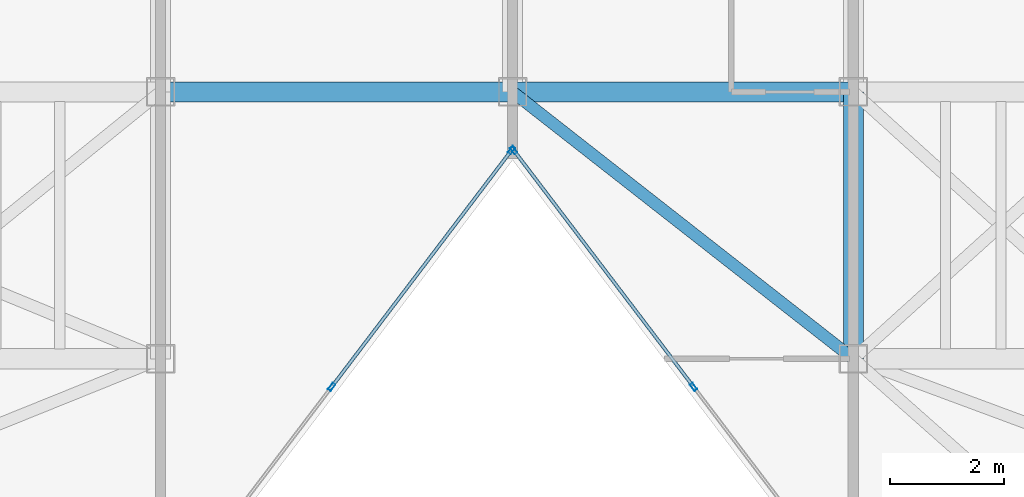
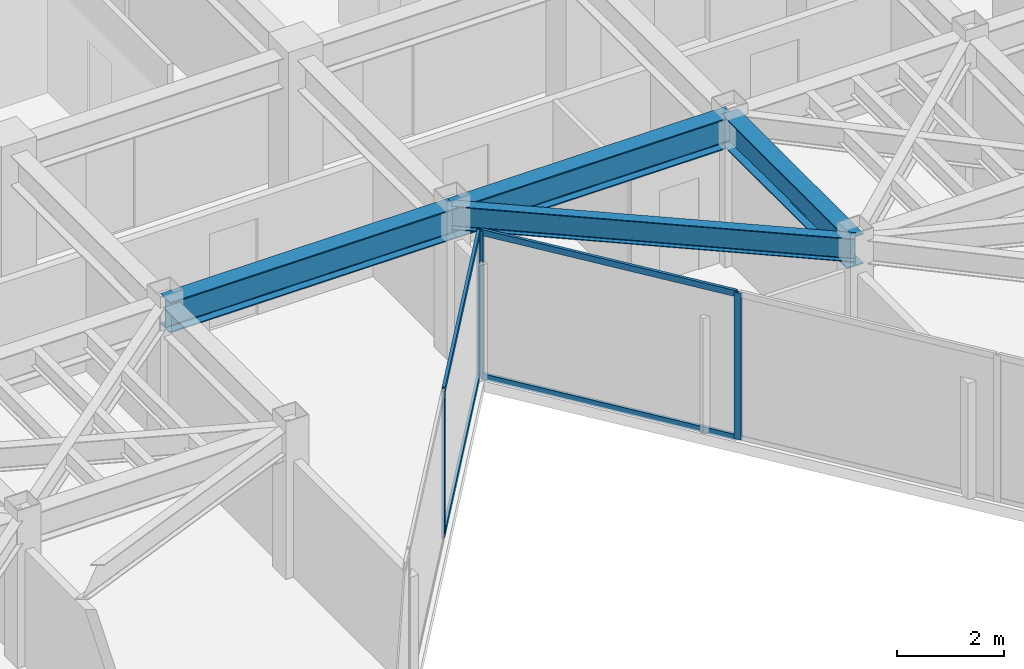
# One storey, part 10 of 19: 8 members, 4 beams, 2 elements without a shape of their own.
"""IFC4 building model written with IfcOpenShell, lengths in metres."""

from ifc_helpers import new_model, si_unit, direction, frame, origin, origin_2d, place, context, subcontext, project, spatial, hollow_rectangle, i_section, extrude, material, layer, layer_set, material_profile, profile_set, type_object, element, aggregate, save


model = new_model("IFC4")

# Units and contexts
model_context = context("Model", 3, precision=1e-05, world=origin(), true_north=direction((0.0, 1.0)))
body_context = subcontext(model_context, "Body", "Model", "MODEL_VIEW")
ifc_project = project(units=[si_unit("LENGTHUNIT", "METRE"), si_unit("AREAUNIT", "SQUARE_METRE"), si_unit("VOLUMEUNIT", "CUBIC_METRE"), si_unit("PLANEANGLEUNIT", "RADIAN"), si_unit("MASSUNIT", "GRAM", prefix="KILO")], contexts=[model_context])

# Site, building, storey
site_placement = place(None, origin())
site = spatial("IfcSite", under=ifc_project, at=site_placement, CompositionType="ELEMENT")
building_placement = place(site_placement, origin())
building = spatial("IfcBuilding", under=site, at=building_placement, Name="Kravanh Interchange Tower", CompositionType="ELEMENT")
storey_placement = place(building_placement, frame((0.0, 0.0, 259.800048828125)))
storey = spatial("IfcBuildingStorey", under=building, at=storey_placement, Name="L63", CompositionType="ELEMENT", Elevation=259.800048828125)

# Curtain wall, members
ifc_material_1 = material(Name="Anodised Bronze Aluminium", Category="aluminium")
ifc_layer = layer(ifc_material_1, 0.179931640625)
ifc_layer_set = layer_set([ifc_layer], Name="Unitised Curtain Wall System CW-HTL Luxury Hotel")
curtain_wall_type = type_object("IfcCurtainWallType", Name="Unitised Curtain Wall System CW-HTL Luxury Hotel", PredefinedType="NOTDEFINED", material=ifc_layer_set)
curtain_wall_1_placement = place(storey_placement, origin())
curtain_wall_1 = element("IfcCurtainWall", 1, at=curtain_wall_1_placement, inside=storey, type_object=curtain_wall_type, Name="L63 Unitised Curtain Wall CW-L63-04", PredefinedType="NOTDEFINED")
ifc_material_2 = material(Name="Anodised Bronze Aluminium", Category="aluminium")
ifc_material_profile_1 = material_profile(ifc_material_2, hollow_rectangle(XDim=0.06005859375, YDim=0.139892578125, WallThickness=0.00390625, at=origin_2d()), Name="ALU60X140X4")
ifc_profile_set_1 = profile_set([ifc_material_profile_1], Name="Anodised Bronze Aluminium")
member_type_1 = type_object("IfcMemberType", Name="Curtain Wall Mullion ALU60X140X4 Bronze", PredefinedType="MULLION", material=ifc_profile_set_1)
member_1_placement = place(storey_placement, frame((47.986572265625, 26.305419921875, 0.0), z_axis=(0.0, 0.0, 1.0), x_axis=(-0.79616243806, -0.605082946564, 0.0)))
member_1 = element("IfcMember", 2, at=member_1_placement, type_object=member_type_1, Name="CW-HTL mullion 3", PredefinedType="MULLION", context=body_context, shape_type="SweptSolid", body=[
    extrude(hollow_rectangle(XDim=0.06005859375, YDim=0.139892578125, WallThickness=0.00390625, at=origin_2d()), origin(), (0.0, 0.0, 1.0), 3.349853515625),
])
member_2_placement = place(storey_placement, frame((44.818115234375, 30.474365234375, 0.0), z_axis=(0.0, 0.0, 1.0), x_axis=(-0.79616243806, -0.605082946564, 0.0)))
member_2 = element("IfcMember", 3, at=member_2_placement, type_object=member_type_1, Name="CW-HTL mullion 4", PredefinedType="MULLION", context=body_context, shape_type="SweptSolid", body=[
    extrude(hollow_rectangle(XDim=0.06005859375, YDim=0.139892578125, WallThickness=0.00390625, at=origin_2d()), origin(), (0.0, 0.0, 1.0), 3.349853515625),
])

curtain_wall_2_placement = place(storey_placement, origin())
curtain_wall_2 = element("IfcCurtainWall", 4, at=curtain_wall_2_placement, inside=storey, type_object=curtain_wall_type, Name="L63 Unitised Curtain Wall CW-L63-05", PredefinedType="NOTDEFINED")
member_3_placement = place(storey_placement, frame((44.78173828125, 30.474365234375, 0.0), z_axis=(0.0, 0.0, 1.0), x_axis=(0.79616243806, -0.605082946564, 0.0)))
member_3 = element("IfcMember", 5, at=member_3_placement, type_object=member_type_1, Name="CW-HTL mullion 1", PredefinedType="MULLION", context=body_context, shape_type="SweptSolid", body=[
    extrude(hollow_rectangle(XDim=0.06005859375, YDim=0.139892578125, WallThickness=0.00390625, at=origin_2d()), origin(), (0.0, 0.0, 1.0), 3.349853515625),
])
member_4_placement = place(storey_placement, frame((41.613525390625, 26.305419921875, 0.0), z_axis=(0.0, 0.0, 1.0), x_axis=(0.79616243806, -0.605082946564, 0.0)))
member_4 = element("IfcMember", 6, at=member_4_placement, type_object=member_type_1, Name="CW-HTL mullion 2", PredefinedType="MULLION", context=body_context, shape_type="SweptSolid", body=[
    extrude(hollow_rectangle(XDim=0.06005859375, YDim=0.139892578125, WallThickness=0.00390625, at=origin_2d()), origin(), (0.0, 0.0, 1.0), 3.349853515625),
])

# Member
ifc_material_3 = material(Name="Anodised Bronze Aluminium", Category="aluminium")
ifc_material_profile_2 = material_profile(ifc_material_3, hollow_rectangle(XDim=0.06005859375, YDim=0.139892578125, WallThickness=0.00390625, at=origin_2d()), Name="ALU60X140X4")
ifc_profile_set_2 = profile_set([ifc_material_profile_2], Name="Anodised Bronze Aluminium")
member_type_2 = type_object("IfcMemberType", Name="Curtain Wall Transom ALU60X140X4 Bronze", PredefinedType="USERDEFINED", material=ifc_profile_set_2)
member_5_placement = place(storey_placement, frame((47.96826171875, 26.329345703125, 0.030029296875), z_axis=(-0.605059348861, 0.796180371747, 0.0), x_axis=(-0.796180371747, -0.605059348861, 0.0)))
member_5 = element("IfcMember", 7, at=member_5_placement, type_object=member_type_2, Name="CW-HTL transom 3.1", ObjectType="TRANSOM", PredefinedType="USERDEFINED", context=body_context, shape_type="SweptSolid", body=[
    extrude(hollow_rectangle(XDim=0.06005859375, YDim=0.139892578125, WallThickness=0.00390625, at=origin_2d()), origin(), (0.0, 0.0, 1.0), 5.176025390625),
])

member_6_placement = place(storey_placement, frame((47.96826171875, 26.329345703125, 3.320068359375), z_axis=(-0.605059348861, 0.796180371747, 0.0), x_axis=(-0.796180371747, -0.605059348861, 0.0)))
member_6 = element("IfcMember", 8, at=member_6_placement, type_object=member_type_2, Name="CW-HTL transom 3.2", ObjectType="TRANSOM", PredefinedType="USERDEFINED", context=body_context, shape_type="SweptSolid", body=[
    extrude(hollow_rectangle(XDim=0.06005859375, YDim=0.139892578125, WallThickness=0.00390625, at=origin_2d()), origin(), (0.0, 0.0, 1.0), 5.176025390625),
])

aggregate(curtain_wall_1, [member_1, member_2, member_5, member_6])

member_7_placement = place(storey_placement, frame((44.763671875, 30.450439453125, 0.030029296875), z_axis=(-0.605089246946, -0.796157649734, 0.0), x_axis=(0.796157649734, -0.605089246946, 0.0)))
member_7 = element("IfcMember", 9, at=member_7_placement, type_object=member_type_2, Name="CW-HTL transom 1.1", ObjectType="TRANSOM", PredefinedType="USERDEFINED", context=body_context, shape_type="SweptSolid", body=[
    extrude(hollow_rectangle(XDim=0.06005859375, YDim=0.139892578125, WallThickness=0.00390625, at=origin_2d()), origin(), (0.0, 0.0, 1.0), 5.17626953125),
])

member_8_placement = place(storey_placement, frame((44.763671875, 30.450439453125, 3.320068359375), z_axis=(-0.605089246946, -0.796157649734, 0.0), x_axis=(0.796157649734, -0.605089246946, 0.0)))
member_8 = element("IfcMember", 10, at=member_8_placement, type_object=member_type_2, Name="CW-HTL transom 1.2", ObjectType="TRANSOM", PredefinedType="USERDEFINED", context=body_context, shape_type="SweptSolid", body=[
    extrude(hollow_rectangle(XDim=0.06005859375, YDim=0.139892578125, WallThickness=0.00390625, at=origin_2d()), origin(), (0.0, 0.0, 1.0), 5.17626953125),
])

aggregate(curtain_wall_2, [member_3, member_4, member_7, member_8])

# Beams
ifc_material_4 = material(Name="Structural Steel S355", Category="steel")
ifc_material_profile_3 = material_profile(ifc_material_4, i_section(OverallWidth=0.35498046875, OverallDepth=0.696044921875, WebThickness=0.015380859375, FlangeThickness=0.02490234375, FilletRadius=0.02392578125, at=origin_2d()), Name="W27X146")
ifc_profile_set_3 = profile_set([ifc_material_profile_3], Name="Structural Steel S355")
beam_type_1 = type_object("IfcBeamType", Name="Floor Beam W27X146 Structural Steel S355", PredefinedType="BEAM", material=ifc_profile_set_3)
beam_1_placement = place(storey_placement, frame((44.800048828125, 31.5, 3.001953125), z_axis=(1.0, 0.0, 0.0), x_axis=(0.0, 1.0, 0.0)))
element("IfcBeam", 11, at=beam_1_placement, inside=storey, type_object=beam_type_1, Name="L63 Primary Floor Girder 2", PredefinedType="BEAM", context=body_context, shape_type="SweptSolid", body=[
    extrude(i_section(OverallWidth=0.35498046875, OverallDepth=0.696044921875, WebThickness=0.015380859375, FlangeThickness=0.02490234375, FilletRadius=0.02392578125, at=origin_2d()), origin(), (0.0, 0.0, 1.0), 6.0),
])
beam_2_placement = place(storey_placement, frame((44.800048828125, 31.5, 3.001953125), z_axis=(-1.0, 0.0, 0.0), x_axis=(0.0, -1.0, 0.0)))
element("IfcBeam", 12, at=beam_2_placement, inside=storey, type_object=beam_type_1, Name="L63 Primary Floor Girder 3", PredefinedType="BEAM", context=body_context, shape_type="SweptSolid", body=[
    extrude(i_section(OverallWidth=0.35498046875, OverallDepth=0.696044921875, WebThickness=0.015380859375, FlangeThickness=0.02490234375, FilletRadius=0.02392578125, at=origin_2d()), origin(), (0.0, 0.0, 1.0), 6.199951171875),
])
beam_3_placement = place(storey_placement, frame((50.800048828125, 31.5, 3.001953125), z_axis=(0.0, -1.0, 0.0), x_axis=(1.0, 0.0, 0.0)))
element("IfcBeam", 13, at=beam_3_placement, inside=storey, type_object=beam_type_1, Name="L63 Primary Floor Girder 5", PredefinedType="BEAM", context=body_context, shape_type="SweptSolid", body=[
    extrude(i_section(OverallWidth=0.35498046875, OverallDepth=0.696044921875, WebThickness=0.015380859375, FlangeThickness=0.02490234375, FilletRadius=0.02392578125, at=origin_2d()), origin(), (0.0, 0.0, 1.0), 4.699951171875),
])
ifc_material_5 = material(Name="Structural Steel S355", Category="steel")
ifc_material_profile_4 = material_profile(ifc_material_5, i_section(OverallWidth=0.2099609375, OverallDepth=0.537109375, WebThickness=0.010986328125, FlangeThickness=0.017333984375, FilletRadius=0.02001953125, at=origin_2d()), Name="W21X68")
ifc_profile_set_4 = profile_set([ifc_material_profile_4], Name="Structural Steel S355")
beam_type_2 = type_object("IfcBeamType", Name="Floor Spandrel W21X68 Structural Steel S355", PredefinedType="SPANDREL", material=ifc_profile_set_4)
beam_4_placement = place(storey_placement, frame((44.800048828125, 31.5, 3.08154296875), z_axis=(0.787231163579, -0.616658004967, 0.0), x_axis=(0.616658004967, 0.787231163579, 0.0)))
element("IfcBeam", 14, at=beam_4_placement, inside=storey, type_object=beam_type_2, Name="L63 Perimeter Spandrel 4", PredefinedType="SPANDREL", context=body_context, shape_type="SweptSolid", body=[
    extrude(i_section(OverallWidth=0.2099609375, OverallDepth=0.537109375, WebThickness=0.010986328125, FlangeThickness=0.017333984375, FilletRadius=0.02001953125, at=origin_2d()), origin(), (0.0, 0.0, 1.0), 7.62158203125),
])

save(model, "model.ifc")
